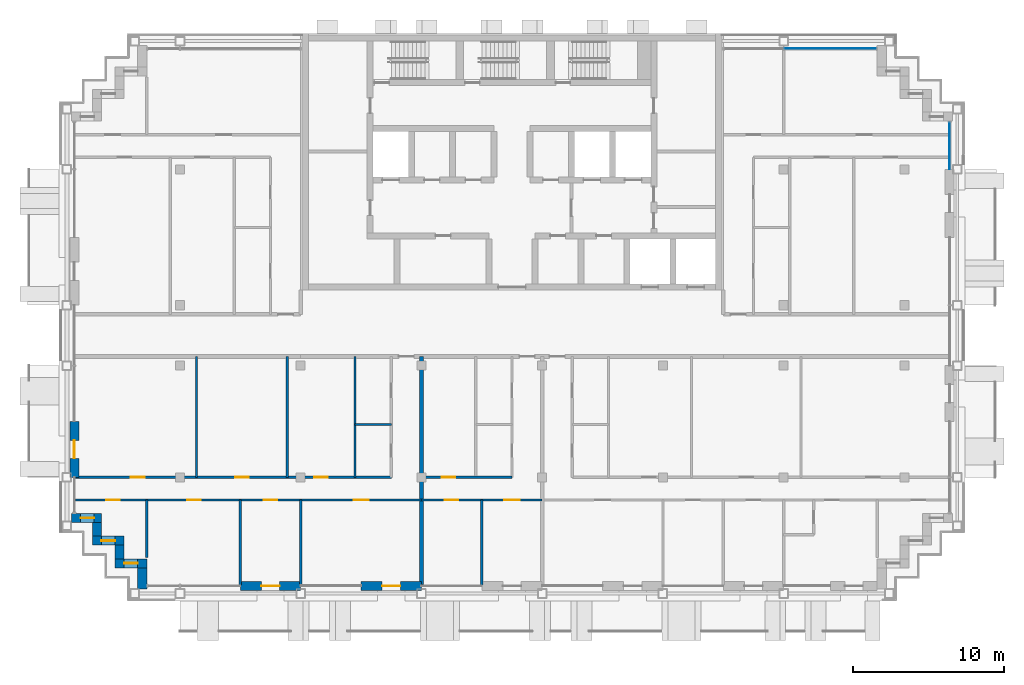
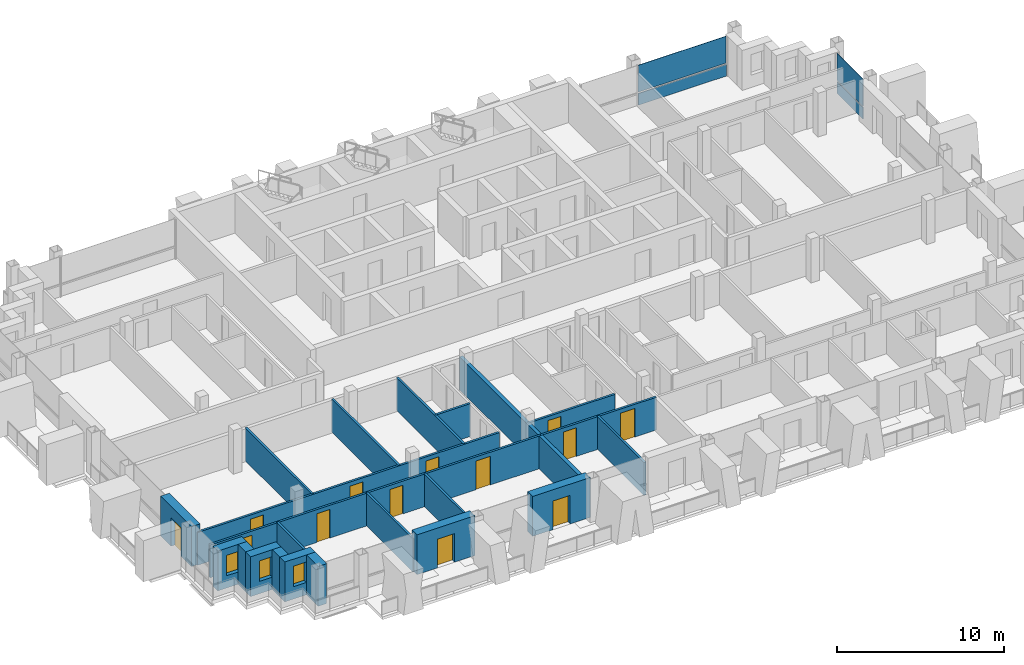
# One storey, part 7 of 16: 22 walls, 13 doors, 4 plates, 3 windows, 16 openings, 2 elements without a shape of their own.
"""IFC4 building model written with IfcOpenShell, lengths in metres."""

from ifc_helpers import new_model, si_unit, direction, frame, frame_2d, origin, origin_2d, place, context, subcontext, project, spatial, rectangle, extrude, material, layer, layer_set, type_object, element, fill, aggregate, save


model = new_model("IFC4")

# Units and contexts
model_context = context("Model", 3, precision=1e-05, world=origin(), true_north=direction((0.0, 1.0)))
body_context = subcontext(model_context, "Body", "Model", "MODEL_VIEW")
ifc_project = project(units=[si_unit("LENGTHUNIT", "METRE"), si_unit("AREAUNIT", "SQUARE_METRE"), si_unit("VOLUMEUNIT", "CUBIC_METRE"), si_unit("PLANEANGLEUNIT", "RADIAN"), si_unit("MASSUNIT", "GRAM", prefix="KILO")], contexts=[model_context])

# Site, building, storey
site_placement = place(None, origin())
site = spatial("IfcSite", under=ifc_project, at=site_placement, CompositionType="ELEMENT")
building_placement = place(site_placement, origin())
building = spatial("IfcBuilding", under=site, at=building_placement, Name="Vidyagriha Tower", CompositionType="ELEMENT")
storey_placement = place(building_placement, frame((0.0, 0.0, 217.199951171875)))
storey = spatial("IfcBuildingStorey", under=building, at=storey_placement, Name="L56", CompositionType="ELEMENT", Elevation=217.199951171875)

# Curtain wall, plate
ifc_material_1 = material(Name="Aluminium and glass curtain wall", Category="aluminium")
curtain_wall_type = type_object("IfcCurtainWallType", Name="Dwelling skin unitised curtain wall", PredefinedType="USERDEFINED", material=ifc_material_1)
curtain_wall_1_placement = place(storey_placement, origin())
curtain_wall_1 = element("IfcCurtainWall", 1, at=curtain_wall_1_placement, inside=storey, type_object=curtain_wall_type, Name="CW1 dwelling skin", ObjectType="UNITISED", PredefinedType="USERDEFINED")
ifc_material_2 = material(Name="Glass dark ceramic-fritted spandrel", Category="glass")
ifc_layer_1 = layer(ifc_material_2, 0.0400390625)
ifc_layer_set_1 = layer_set([ifc_layer_1], Name="Glass dark ceramic-fritted spandrel")
plate_type_1 = type_object("IfcPlateType", Name="Ceramic-fritted spandrel panel", PredefinedType="CURTAIN_PANEL", material=ifc_layer_set_1)
plate_1_placement = place(storey_placement, frame((21.08251953125, 19.0, 0.0), z_axis=(0.0, 0.0, 1.0), x_axis=(-1.0, 0.0, 0.0)))
plate_1 = element("IfcPlate", 2, at=plate_1_placement, type_object=plate_type_1, Name="CW1 panel 1.1", PredefinedType="CURTAIN_PANEL", context=body_context, shape_type="SweptSolid", body=[
    extrude(rectangle(XDim=6.094970703125, YDim=0.0400390625, at=origin_2d()), origin(), (0.0, 0.0, 1.0), 0.85009765625),
])

curtain_wall_2_placement = place(storey_placement, origin())
curtain_wall_2 = element("IfcCurtainWall", 3, at=curtain_wall_2_placement, inside=storey, type_object=curtain_wall_type, Name="CW1 dwelling skin", ObjectType="UNITISED", PredefinedType="USERDEFINED")
plate_2_placement = place(storey_placement, frame((29.0, 12.56494140625, 0.0), z_axis=(0.0, 0.0, 1.0), x_axis=(0.0, 1.0, 0.0)))
plate_2 = element("IfcPlate", 4, at=plate_2_placement, type_object=plate_type_1, Name="CW1 panel 1.1", PredefinedType="CURTAIN_PANEL", context=body_context, shape_type="SweptSolid", body=[
    extrude(rectangle(XDim=3.1298828125, YDim=0.0400390625, at=origin_2d()), origin(), (0.0, 0.0, 1.0), 0.85009765625),
])

# Plate
ifc_material_3 = material(Name="Glass dark ceramic-fritted", Category="glass")
ifc_layer_2 = layer(ifc_material_3, 0.028076171875)
ifc_layer_set_2 = layer_set([ifc_layer_2], Name="Glass dark ceramic-fritted")
plate_type_2 = type_object("IfcPlateType", Name="Dark ceramic-fritted vision glass panel", PredefinedType="CURTAIN_PANEL", material=ifc_layer_set_2)
plate_3_placement = place(storey_placement, frame((21.08251953125, 19.0, 0.9501953125), z_axis=(0.0, 0.0, 1.0), x_axis=(-1.0, 0.0, 0.0)))
plate_3 = element("IfcPlate", 5, at=plate_3_placement, type_object=plate_type_2, Name="CW1 panel 1.2", PredefinedType="CURTAIN_PANEL", context=body_context, shape_type="SweptSolid", body=[
    extrude(rectangle(XDim=6.094970703125, YDim=0.028076171875, at=origin_2d()), origin(), (0.0, 0.0, 1.0), 1.969970703125),
])

aggregate(curtain_wall_1, [plate_1, plate_3])

plate_4_placement = place(storey_placement, frame((29.0, 12.56494140625, 0.9501953125), z_axis=(0.0, 0.0, 1.0), x_axis=(0.0, 1.0, 0.0)))
plate_4 = element("IfcPlate", 6, at=plate_4_placement, type_object=plate_type_2, Name="CW1 panel 1.2", PredefinedType="CURTAIN_PANEL", context=body_context, shape_type="SweptSolid", body=[
    extrude(rectangle(XDim=3.1298828125, YDim=0.028076171875, at=origin_2d()), origin(), (0.0, 0.0, 1.0), 1.969970703125),
])

aggregate(curtain_wall_2, [plate_2, plate_4])

# Wall, opening, door
ifc_material_4 = material(Name="Precast concrete C40/50 with brick facing", Category="concrete")
ifc_layer_3 = layer(ifc_material_4, 0.60009765625)
ifc_layer_set_3 = layer_set([ifc_layer_3], Name="Precast concrete C40/50 with brick facing")
wall_type_1 = type_object("IfcWallType", Name="Brick-faced precast wall 600", PredefinedType="STANDARD", material=ifc_layer_set_3)
wall_1_placement = place(storey_placement, frame((-29.0, -5.699951171875, 0.0), z_axis=(0.0, 0.0, 1.0), x_axis=(0.0, -1.0, 0.0)))
wall_1 = element("IfcWall", 7, at=wall_1_placement, inside=storey, type_object=wall_type_1, Name="Brick door bay wall L56 R16.6", PredefinedType="STANDARD", context=body_context, shape_type="SweptSolid", body=[
    extrude(rectangle(XDim=3.699951171875, YDim=0.60009765625, at=frame_2d((1.85009765625, 0.0))), origin(), (0.0, 0.0, 1.0), 2.920166015625),
])
opening_1_placement = place(wall_1_placement, frame((1.25, 0.0, 0.0)))
opening_1 = element("IfcOpeningElement", 8, at=opening_1_placement, cuts=wall_1, Name="Opening D56-60", PredefinedType="OPENING", context=body_context, shape_type="SweptSolid", body=[
    extrude(rectangle(XDim=1.199951171875, YDim=2.10009765625, at=frame_2d((0.60009765625, 1.050048828125))), frame((0.0, 0.31005859375, 0.0), z_axis=(0.0, -1.0, 0.0), x_axis=(1.0, 0.0, 0.0)), (0.0, 0.0, 1.0), 0.6201171875),
])
ifc_material_5 = material(Name="Aluminium framed glazed sliding door", Category="aluminium")
door_type_1 = type_object("IfcDoorType", Name="Balcony sliding door 1200x2100", OperationType="NOTDEFINED", PredefinedType="DOOR", material=ifc_material_5)
door_1_placement = place(opening_1_placement, origin())
door_1 = element("IfcDoor", 9, at=door_1_placement, inside=storey, type_object=door_type_1, Name="Door D56-60", OperationType="SLIDING_TO_LEFT", OverallHeight=2.10009765625, OverallWidth=1.199951171875, PredefinedType="DOOR", context=body_context, shape_type="SweptSolid", body=[
    extrude(rectangle(XDim=1.199951171875, YDim=2.10009765625, at=frame_2d((0.60009765625, 1.050048828125))), frame((0.0, 0.02490234375, 0.0), z_axis=(0.0, -1.0, 0.0), x_axis=(1.0, 0.0, 0.0)), (0.0, 0.0, 1.0), 0.050048828125),
])
fill(opening_1, door_1)

# Wall, opening, window
wall_2_placement = place(storey_placement, frame((-29.199951171875, -12.10009765625, 0.0)))
wall_2 = element("IfcWall", 10, at=wall_2_placement, inside=storey, type_object=wall_type_1, Name="Stepped corner wall L56 R17", PredefinedType="STANDARD", context=body_context, shape_type="SweptSolid", body=[
    extrude(rectangle(XDim=2.0, YDim=0.60009765625, at=frame_2d((1.0, 0.0))), origin(), (0.0, 0.0, 1.0), 2.920166015625),
])
opening_2_placement = place(wall_2_placement, frame((0.610107421875, 0.0, 0.89990234375)))
opening_2 = element("IfcOpeningElement", 11, at=opening_2_placement, cuts=wall_2, Name="Opening WN1", PredefinedType="OPENING", context=body_context, shape_type="SweptSolid", body=[
    extrude(rectangle(XDim=0.89990234375, YDim=1.5, at=frame_2d((0.449951171875, 0.75))), frame((0.0, 0.31005859375, 0.0), z_axis=(0.0, -1.0, 0.0), x_axis=(1.0, 0.0, 0.0)), (0.0, 0.0, 1.0), 0.6201171875),
])
ifc_material_6 = material(Name="Aluminium and glass window", Category="aluminium")
window_type = type_object("IfcWindowType", Name="Reveal window 900x1500", PartitioningType="NOTDEFINED", PredefinedType="WINDOW", material=ifc_material_6)
window_1_placement = place(opening_2_placement, origin())
window_1 = element("IfcWindow", 12, at=window_1_placement, inside=storey, type_object=window_type, Name="Reveal window L56 R17", OverallHeight=1.5, OverallWidth=0.89990234375, PartitioningType="SINGLE_PANEL", PredefinedType="WINDOW", context=body_context, shape_type="SweptSolid", body=[
    extrude(rectangle(XDim=0.89990234375, YDim=1.5, at=frame_2d((0.449951171875, 0.75))), frame((0.0, 0.030029296875, 0.0), z_axis=(0.0, -1.0, 0.0), x_axis=(1.0, 0.0, 0.0)), (0.0, 0.0, 1.0), 0.06005859375),
])
fill(opening_2, window_1)

# Wall
wall_3_placement = place(storey_placement, frame((-27.5, -12.39990234375, 0.0), z_axis=(0.0, 0.0, 1.0), x_axis=(0.0, -1.0, 0.0)))
element("IfcWall", 13, at=wall_3_placement, inside=storey, type_object=wall_type_1, Name="Stepped corner wall L56 R18", PredefinedType="STANDARD", context=body_context, shape_type="SweptSolid", body=[
    extrude(rectangle(XDim=0.900146484375, YDim=0.60009765625, at=frame_2d((0.4501953125, 0.0))), origin(), (0.0, 0.0, 1.0), 2.920166015625),
])

# Wall, opening, window
wall_4_placement = place(storey_placement, frame((-27.800048828125, -13.60009765625, 0.0)))
wall_4 = element("IfcWall", 14, at=wall_4_placement, inside=storey, type_object=wall_type_1, Name="Stepped corner wall L56 R19", PredefinedType="STANDARD", context=body_context, shape_type="SweptSolid", body=[
    extrude(rectangle(XDim=2.10009765625, YDim=0.60009765625, at=frame_2d((1.050048828125, 0.0))), origin(), (0.0, 0.0, 1.0), 2.920166015625),
])
opening_3_placement = place(wall_4_placement, frame((0.60009765625, 0.0, 0.89990234375)))
opening_3 = element("IfcOpeningElement", 15, at=opening_3_placement, cuts=wall_4, Name="Opening WN1", PredefinedType="OPENING", context=body_context, shape_type="SweptSolid", body=[
    extrude(rectangle(XDim=0.89990234375, YDim=1.5, at=frame_2d((0.449951171875, 0.75))), frame((0.0, 0.31005859375, 0.0), z_axis=(0.0, -1.0, 0.0), x_axis=(1.0, 0.0, 0.0)), (0.0, 0.0, 1.0), 0.6201171875),
])
window_2_placement = place(opening_3_placement, origin())
window_2 = element("IfcWindow", 16, at=window_2_placement, inside=storey, type_object=window_type, Name="Reveal window L56 R19", OverallHeight=1.5, OverallWidth=0.89990234375, PartitioningType="SINGLE_PANEL", PredefinedType="WINDOW", context=body_context, shape_type="SweptSolid", body=[
    extrude(rectangle(XDim=0.89990234375, YDim=1.5, at=frame_2d((0.449951171875, 0.75))), frame((0.0, 0.030029296875, 0.0), z_axis=(0.0, -1.0, 0.0), x_axis=(1.0, 0.0, 0.0)), (0.0, 0.0, 1.0), 0.06005859375),
])
fill(opening_3, window_2)

# Wall
wall_5_placement = place(storey_placement, frame((-26.0, -13.89990234375, 0.0), z_axis=(0.0, 0.0, 1.0), x_axis=(0.0, -1.0, 0.0)))
element("IfcWall", 17, at=wall_5_placement, inside=storey, type_object=wall_type_1, Name="Stepped corner wall L56 R20", PredefinedType="STANDARD", context=body_context, shape_type="SweptSolid", body=[
    extrude(rectangle(XDim=0.900146484375, YDim=0.60009765625, at=frame_2d((0.4501953125, 0.0))), origin(), (0.0, 0.0, 1.0), 2.920166015625),
])

# Wall, opening, window
wall_6_placement = place(storey_placement, frame((-26.300048828125, -15.10009765625, 0.0)))
wall_6 = element("IfcWall", 18, at=wall_6_placement, inside=storey, type_object=wall_type_1, Name="Stepped corner wall L56 R21", PredefinedType="STANDARD", context=body_context, shape_type="SweptSolid", body=[
    extrude(rectangle(XDim=2.10009765625, YDim=0.60009765625, at=frame_2d((1.050048828125, 0.0))), origin(), (0.0, 0.0, 1.0), 2.920166015625),
])
opening_4_placement = place(wall_6_placement, frame((0.60009765625, 0.0, 0.89990234375)))
opening_4 = element("IfcOpeningElement", 19, at=opening_4_placement, cuts=wall_6, Name="Opening WN1", PredefinedType="OPENING", context=body_context, shape_type="SweptSolid", body=[
    extrude(rectangle(XDim=0.89990234375, YDim=1.5, at=frame_2d((0.449951171875, 0.75))), frame((0.0, 0.31005859375, 0.0), z_axis=(0.0, -1.0, 0.0), x_axis=(1.0, 0.0, 0.0)), (0.0, 0.0, 1.0), 0.6201171875),
])
window_3_placement = place(opening_4_placement, origin())
window_3 = element("IfcWindow", 20, at=window_3_placement, inside=storey, type_object=window_type, Name="Reveal window L56 R21", OverallHeight=1.5, OverallWidth=0.89990234375, PartitioningType="SINGLE_PANEL", PredefinedType="WINDOW", context=body_context, shape_type="SweptSolid", body=[
    extrude(rectangle(XDim=0.89990234375, YDim=1.5, at=frame_2d((0.449951171875, 0.75))), frame((0.0, 0.030029296875, 0.0), z_axis=(0.0, -1.0, 0.0), x_axis=(1.0, 0.0, 0.0)), (0.0, 0.0, 1.0), 0.06005859375),
])
fill(opening_4, window_3)

# Wall
wall_7_placement = place(storey_placement, frame((-24.5, -15.39990234375, 0.0), z_axis=(0.0, 0.0, 1.0), x_axis=(0.0, -1.0, 0.0)))
element("IfcWall", 21, at=wall_7_placement, inside=storey, type_object=wall_type_1, Name="Stepped corner wall L56 R22", PredefinedType="STANDARD", context=body_context, shape_type="SweptSolid", body=[
    extrude(rectangle(XDim=1.400146484375, YDim=0.60009765625, at=frame_2d((0.7001953125, 0.0))), origin(), (0.0, 0.0, 1.0), 2.920166015625),
])

# Wall, opening, door
wall_8_placement = place(storey_placement, frame((-18.0, -16.60009765625, 0.0)))
wall_8 = element("IfcWall", 22, at=wall_8_placement, inside=storey, type_object=wall_type_1, Name="Brick door bay wall L56 R23.3", PredefinedType="STANDARD", context=body_context, shape_type="SweptSolid", body=[
    extrude(rectangle(XDim=4.0, YDim=0.60009765625, at=frame_2d((2.0, 0.0))), origin(), (0.0, 0.0, 1.0), 2.920166015625),
])
opening_5_placement = place(wall_8_placement, frame((1.39990234375, 0.0, 0.0)))
opening_5 = element("IfcOpeningElement", 23, at=opening_5_placement, cuts=wall_8, Name="Opening D56-61", PredefinedType="OPENING", context=body_context, shape_type="SweptSolid", body=[
    extrude(rectangle(XDim=1.199951171875, YDim=2.10009765625, at=frame_2d((0.60009765625, 1.050048828125))), frame((0.0, 0.31005859375, 0.0), z_axis=(0.0, -1.0, 0.0), x_axis=(1.0, 0.0, 0.0)), (0.0, 0.0, 1.0), 0.6201171875),
])
door_2_placement = place(opening_5_placement, origin())
door_2 = element("IfcDoor", 24, at=door_2_placement, inside=storey, type_object=door_type_1, Name="Door D56-61", OperationType="SLIDING_TO_LEFT", OverallHeight=2.10009765625, OverallWidth=1.199951171875, PredefinedType="DOOR", context=body_context, shape_type="SweptSolid", body=[
    extrude(rectangle(XDim=1.199951171875, YDim=2.10009765625, at=frame_2d((0.60009765625, 1.050048828125))), frame((0.0, 0.02490234375, 0.0), z_axis=(0.0, -1.0, 0.0), x_axis=(1.0, 0.0, 0.0)), (0.0, 0.0, 1.0), 0.050048828125),
])
fill(opening_5, door_2)

wall_9_placement = place(storey_placement, frame((-10.0, -16.60009765625, 0.0)))
wall_9 = element("IfcWall", 25, at=wall_9_placement, inside=storey, type_object=wall_type_1, Name="Brick door bay wall L56 R23.5", PredefinedType="STANDARD", context=body_context, shape_type="SweptSolid", body=[
    extrude(rectangle(XDim=4.0, YDim=0.60009765625, at=frame_2d((2.0, 0.0))), origin(), (0.0, 0.0, 1.0), 2.920166015625),
])
opening_6_placement = place(wall_9_placement, frame((1.39990234375, 0.0, 0.0)))
opening_6 = element("IfcOpeningElement", 26, at=opening_6_placement, cuts=wall_9, Name="Opening D56-62", PredefinedType="OPENING", context=body_context, shape_type="SweptSolid", body=[
    extrude(rectangle(XDim=1.199951171875, YDim=2.10009765625, at=frame_2d((0.60009765625, 1.050048828125))), frame((0.0, 0.31005859375, 0.0), z_axis=(0.0, -1.0, 0.0), x_axis=(1.0, 0.0, 0.0)), (0.0, 0.0, 1.0), 0.6201171875),
])
door_3_placement = place(opening_6_placement, origin())
door_3 = element("IfcDoor", 27, at=door_3_placement, inside=storey, type_object=door_type_1, Name="Door D56-62", OperationType="SLIDING_TO_LEFT", OverallHeight=2.10009765625, OverallWidth=1.199951171875, PredefinedType="DOOR", context=body_context, shape_type="SweptSolid", body=[
    extrude(rectangle(XDim=1.199951171875, YDim=2.10009765625, at=frame_2d((0.60009765625, 1.050048828125))), frame((0.0, 0.02490234375, 0.0), z_axis=(0.0, -1.0, 0.0), x_axis=(1.0, 0.0, 0.0)), (0.0, 0.0, 1.0), 0.050048828125),
])
fill(opening_6, door_3)

# Walls
ifc_material_7 = material(Name="Fired clay brick masonry", Category="masonry")
ifc_layer_4 = layer(ifc_material_7, 0.25)
ifc_layer_set_4 = layer_set([ifc_layer_4], Name="Fired clay brick masonry")
wall_type_2 = type_object("IfcWallType", Name="Fired clay brick demising wall 250", PredefinedType="PARTITIONING", material=ifc_layer_set_4)
wall_10_placement = place(storey_placement, frame((-6.0, -1.39990234375, 0.0), z_axis=(0.0, 0.0, 1.0), x_axis=(0.0, -1.0, 0.0)))
element("IfcWall", 28, at=wall_10_placement, inside=storey, type_object=wall_type_2, Name="Wall all-L56-w033", PredefinedType="PARTITIONING", context=body_context, shape_type="SweptSolid", body=[
    extrude(rectangle(XDim=15.110107421875, YDim=0.25, at=frame_2d((7.55517578125, 0.0))), origin(), (0.0, 0.0, 1.0), 2.400146484375),
])
ifc_material_8 = material(Name="Gypsum board partition")
ifc_layer_5 = layer(ifc_material_8, 0.14990234375)
ifc_layer_set_5 = layer_set([ifc_layer_5], Name="Gypsum board partition")
wall_type_3 = type_object("IfcWallType", Name="Gypsum board partition 150", PredefinedType="PARTITIONING", material=ifc_layer_set_5)
wall_11_placement = place(storey_placement, frame((-8.0, -5.89990234375, 0.0), z_axis=(0.0, 0.0, 1.0), x_axis=(-1.0, 0.0, 0.0)))
element("IfcWall", 29, at=wall_11_placement, inside=storey, type_object=wall_type_3, Name="Wall all-L56-w004", PredefinedType="PARTITIONING", context=body_context, shape_type="SweptSolid", body=[
    extrude(rectangle(XDim=2.39990234375, YDim=0.14990234375, at=frame_2d((1.199951171875, 0.0))), origin(), (0.0, 0.0, 1.0), 2.400146484375),
])
for number, where, z_axis, x_axis, name in (
    (30, (-10.39990234375, -9.39990234375, 0.0), (0.0, 0.0, 1.0), (0.0, 1.0, 0.0), "Wall all-L56-w005"),
    (31, (-14.89990234375, -9.39990234375, 0.0), (0.0, 0.0, 1.0), (0.0, 1.0, 0.0), "Wall all-L56-w006"),
    (32, (-20.89990234375, -9.39990234375, 0.0), (0.0, 0.0, 1.0), (0.0, 1.0, 0.0), "Wall all-L56-w007"),
):
    element("IfcWall", number, at=place(storey_placement, frame(where, z_axis=z_axis, x_axis=x_axis)), inside=storey, type_object=wall_type_3, Name=name, PredefinedType="PARTITIONING", context=body_context, shape_type="SweptSolid", body=[
        extrude(rectangle(XDim=8.0, YDim=0.14990234375, at=frame_2d((4.0, 0.0))), origin(), (0.0, 0.0, 1.0), 2.400146484375),
    ])

# Wall, openings, doors
wall_12_placement = place(storey_placement, frame((-28.909912109375, -9.39990234375, 0.0)))
wall_12 = element("IfcWall", 33, at=wall_12_placement, inside=storey, type_object=wall_type_3, Name="Wall all-L56-w008", PredefinedType="PARTITIONING", context=body_context, shape_type="SweptSolid", body=[
    extrude(rectangle(XDim=20.909912109375, YDim=0.14990234375, at=frame_2d((10.455078125, 0.0))), origin(), (0.0, 0.0, 1.0), 2.400146484375),
])
opening_7_placement = place(wall_12_placement, frame((15.81005859375, 0.0, 0.0)))
opening_7 = element("IfcOpeningElement", 34, at=opening_7_placement, cuts=wall_12, Name="Opening D56-19", PredefinedType="OPENING", context=body_context, shape_type="SweptSolid", body=[
    extrude(rectangle(XDim=0.89990234375, YDim=2.10009765625, at=frame_2d((0.449951171875, 1.050048828125))), frame((0.0, 0.0849609375, 0.0), z_axis=(0.0, -1.0, 0.0), x_axis=(1.0, 0.0, 0.0)), (0.0, 0.0, 1.0), 0.169921875),
])
opening_8_placement = place(wall_12_placement, frame((10.56005859375, 0.0, 0.0)))
opening_8 = element("IfcOpeningElement", 35, at=opening_8_placement, cuts=wall_12, Name="Opening D56-20", PredefinedType="OPENING", context=body_context, shape_type="SweptSolid", body=[
    extrude(rectangle(XDim=0.89990234375, YDim=2.10009765625, at=frame_2d((0.449951171875, 1.050048828125))), frame((0.0, 0.0849609375, 0.0), z_axis=(0.0, -1.0, 0.0), x_axis=(1.0, 0.0, 0.0)), (0.0, 0.0, 1.0), 0.169921875),
])
opening_9_placement = place(wall_12_placement, frame((3.659912109375, 0.0, 0.0)))
opening_9 = element("IfcOpeningElement", 36, at=opening_9_placement, cuts=wall_12, Name="Opening D56-21", PredefinedType="OPENING", context=body_context, shape_type="SweptSolid", body=[
    extrude(rectangle(XDim=0.89990234375, YDim=2.10009765625, at=frame_2d((0.449951171875, 1.050048828125))), frame((0.0, 0.0849609375, 0.0), z_axis=(0.0, -1.0, 0.0), x_axis=(1.0, 0.0, 0.0)), (0.0, 0.0, 1.0), 0.169921875),
])
ifc_material_9 = material(Name="Timber door leaf", Category="wood")
door_type_2 = type_object("IfcDoorType", Name="Room door 900x2100", OperationType="NOTDEFINED", PredefinedType="DOOR", material=ifc_material_9)
door_4_placement = place(opening_7_placement, origin())
door_4 = element("IfcDoor", 37, at=door_4_placement, inside=storey, type_object=door_type_2, Name="Door D56-19", OperationType="SINGLE_SWING_LEFT", OverallHeight=2.10009765625, OverallWidth=0.89990234375, PredefinedType="DOOR", context=body_context, shape_type="SweptSolid", body=[
    extrude(rectangle(XDim=0.89990234375, YDim=2.10009765625, at=frame_2d((0.449951171875, 1.050048828125))), frame((0.0, 0.02490234375, 0.0), z_axis=(0.0, -1.0, 0.0), x_axis=(1.0, 0.0, 0.0)), (0.0, 0.0, 1.0), 0.050048828125),
])
fill(opening_7, door_4)
door_5_placement = place(opening_8_placement, origin())
door_5 = element("IfcDoor", 38, at=door_5_placement, inside=storey, type_object=door_type_2, Name="Door D56-20", OperationType="SINGLE_SWING_RIGHT", OverallHeight=2.10009765625, OverallWidth=0.89990234375, PredefinedType="DOOR", context=body_context, shape_type="SweptSolid", body=[
    extrude(rectangle(XDim=0.89990234375, YDim=2.10009765625, at=frame_2d((0.449951171875, 1.050048828125))), frame((0.0, 0.02490234375, 0.0), z_axis=(0.0, -1.0, 0.0), x_axis=(1.0, 0.0, 0.0)), (0.0, 0.0, 1.0), 0.050048828125),
])
fill(opening_8, door_5)
door_6_placement = place(opening_9_placement, origin())
door_6 = element("IfcDoor", 39, at=door_6_placement, inside=storey, type_object=door_type_2, Name="Door D56-21", OperationType="SINGLE_SWING_LEFT", OverallHeight=2.10009765625, OverallWidth=0.89990234375, PredefinedType="DOOR", context=body_context, shape_type="SweptSolid", body=[
    extrude(rectangle(XDim=0.89990234375, YDim=2.10009765625, at=frame_2d((0.449951171875, 1.050048828125))), frame((0.0, 0.02490234375, 0.0), z_axis=(0.0, -1.0, 0.0), x_axis=(1.0, 0.0, 0.0)), (0.0, 0.0, 1.0), 0.050048828125),
])
fill(opening_9, door_6)

wall_13_placement = place(storey_placement, frame((-6.0, -10.89990234375, 0.0), z_axis=(0.0, 0.0, 1.0), x_axis=(-1.0, 0.0, 0.0)))
wall_13 = element("IfcWall", 40, at=wall_13_placement, inside=storey, type_object=wall_type_3, Name="Wall all-L56-w012", PredefinedType="PARTITIONING", context=body_context, shape_type="SweptSolid", body=[
    extrude(rectangle(XDim=22.919921875, YDim=0.14990234375, at=frame_2d((11.4599609375, 0.0))), origin(), (0.0, 0.0, 1.0), 2.400146484375),
])
opening_10_placement = place(wall_13_placement, frame((20.0, 0.0, 0.0)))
opening_10 = element("IfcOpeningElement", 41, at=opening_10_placement, cuts=wall_13, Name="Opening D56-22", PredefinedType="OPENING", context=body_context, shape_type="SweptSolid", body=[
    extrude(rectangle(XDim=0.89990234375, YDim=2.10009765625, at=frame_2d((0.449951171875, 1.050048828125))), frame((0.0, 0.0849609375, 0.0), z_axis=(0.0, -1.0, 0.0), x_axis=(1.0, 0.0, 0.0)), (0.0, 0.0, 1.0), 0.169921875),
])
opening_11_placement = place(wall_13_placement, frame((14.6240234375, 0.0, 0.0)))
opening_11 = element("IfcOpeningElement", 42, at=opening_11_placement, cuts=wall_13, Name="Opening D56-23", PredefinedType="OPENING", context=body_context, shape_type="SweptSolid", body=[
    extrude(rectangle(XDim=0.89990234375, YDim=2.10009765625, at=frame_2d((0.449951171875, 1.050048828125))), frame((0.0, 0.0849609375, 0.0), z_axis=(0.0, -1.0, 0.0), x_axis=(1.0, 0.0, 0.0)), (0.0, 0.0, 1.0), 0.169921875),
])
opening_12_placement = place(wall_13_placement, frame((9.550048828125, 0.0, 0.0)))
opening_12 = element("IfcOpeningElement", 43, at=opening_12_placement, cuts=wall_13, Name="Opening D56-24", PredefinedType="OPENING", context=body_context, shape_type="SweptSolid", body=[
    extrude(rectangle(XDim=0.89990234375, YDim=2.10009765625, at=frame_2d((0.449951171875, 1.050048828125))), frame((0.0, 0.0849609375, 0.0), z_axis=(0.0, -1.0, 0.0), x_axis=(1.0, 0.0, 0.0)), (0.0, 0.0, 1.0), 0.169921875),
])
opening_13_placement = place(wall_13_placement, frame((3.5, 0.0, 0.0)))
opening_13 = element("IfcOpeningElement", 44, at=opening_13_placement, cuts=wall_13, Name="Opening D56-25", PredefinedType="OPENING", context=body_context, shape_type="SweptSolid", body=[
    extrude(rectangle(XDim=1.0, YDim=2.10009765625, at=frame_2d((0.5, 1.050048828125))), frame((0.0, 0.0849609375, 0.0), z_axis=(0.0, -1.0, 0.0), x_axis=(1.0, 0.0, 0.0)), (0.0, 0.0, 1.0), 0.169921875),
])
ifc_material_10 = material(Name="Timber door leaf", Category="wood")
door_type_3 = type_object("IfcDoorType", Name="Room door 1000x2100", OperationType="NOTDEFINED", PredefinedType="DOOR", material=ifc_material_10)
door_7_placement = place(opening_13_placement, origin())
door_7 = element("IfcDoor", 45, at=door_7_placement, inside=storey, type_object=door_type_3, Name="Door D56-25", OperationType="SINGLE_SWING_RIGHT", OverallHeight=2.10009765625, OverallWidth=1.0, PredefinedType="DOOR", context=body_context, shape_type="SweptSolid", body=[
    extrude(rectangle(XDim=1.0, YDim=2.10009765625, at=frame_2d((0.5, 1.050048828125))), frame((0.0, 0.02490234375, 0.0), z_axis=(0.0, -1.0, 0.0), x_axis=(1.0, 0.0, 0.0)), (0.0, 0.0, 1.0), 0.050048828125),
])
fill(opening_13, door_7)
door_8_placement = place(opening_10_placement, origin())
door_8 = element("IfcDoor", 46, at=door_8_placement, inside=storey, type_object=door_type_2, Name="Door D56-22", OperationType="SINGLE_SWING_RIGHT", OverallHeight=2.10009765625, OverallWidth=0.89990234375, PredefinedType="DOOR", context=body_context, shape_type="SweptSolid", body=[
    extrude(rectangle(XDim=0.89990234375, YDim=2.10009765625, at=frame_2d((0.449951171875, 1.050048828125))), frame((0.0, 0.02490234375, 0.0), z_axis=(0.0, -1.0, 0.0), x_axis=(1.0, 0.0, 0.0)), (0.0, 0.0, 1.0), 0.050048828125),
])
fill(opening_10, door_8)
door_9_placement = place(opening_11_placement, origin())
door_9 = element("IfcDoor", 47, at=door_9_placement, inside=storey, type_object=door_type_2, Name="Door D56-23", OperationType="SINGLE_SWING_LEFT", OverallHeight=2.10009765625, OverallWidth=0.89990234375, PredefinedType="DOOR", context=body_context, shape_type="SweptSolid", body=[
    extrude(rectangle(XDim=0.89990234375, YDim=2.10009765625, at=frame_2d((0.449951171875, 1.050048828125))), frame((0.0, 0.02490234375, 0.0), z_axis=(0.0, -1.0, 0.0), x_axis=(1.0, 0.0, 0.0)), (0.0, 0.0, 1.0), 0.050048828125),
])
fill(opening_11, door_9)
door_10_placement = place(opening_12_placement, origin())
door_10 = element("IfcDoor", 48, at=door_10_placement, inside=storey, type_object=door_type_2, Name="Door D56-24", OperationType="SINGLE_SWING_RIGHT", OverallHeight=2.10009765625, OverallWidth=0.89990234375, PredefinedType="DOOR", context=body_context, shape_type="SweptSolid", body=[
    extrude(rectangle(XDim=0.89990234375, YDim=2.10009765625, at=frame_2d((0.449951171875, 1.050048828125))), frame((0.0, 0.02490234375, 0.0), z_axis=(0.0, -1.0, 0.0), x_axis=(1.0, 0.0, 0.0)), (0.0, 0.0, 1.0), 0.050048828125),
])
fill(opening_12, door_10)

# Walls
wall_14_placement = place(storey_placement, frame((-24.199951171875, -10.89990234375, 0.0), z_axis=(0.0, 0.0, 1.0), x_axis=(0.0, -1.0, 0.0)))
element("IfcWall", 49, at=wall_14_placement, inside=storey, type_object=wall_type_3, Name="Wall all-L56-w017", PredefinedType="PARTITIONING", context=body_context, shape_type="SweptSolid", body=[
    extrude(rectangle(XDim=3.820068359375, YDim=0.14990234375, at=frame_2d((1.91015625, 0.0))), origin(), (0.0, 0.0, 1.0), 2.400146484375),
])
wall_15_placement = place(storey_placement, frame((-18.0, -10.89990234375, 0.0), z_axis=(0.0, 0.0, 1.0), x_axis=(0.0, -1.0, 0.0)))
element("IfcWall", 50, at=wall_15_placement, inside=storey, type_object=wall_type_3, Name="Wall all-L56-w018", PredefinedType="PARTITIONING", context=body_context, shape_type="SweptSolid", body=[
    extrude(rectangle(XDim=5.62109375, YDim=0.14990234375, at=frame_2d((2.810546875, 0.0))), origin(), (0.0, 0.0, 1.0), 2.400146484375),
])
wall_16_placement = place(storey_placement, frame((-14.0, -10.89990234375, 0.0), z_axis=(0.0, 0.0, 1.0), x_axis=(0.0, -1.0, 0.0)))
element("IfcWall", 51, at=wall_16_placement, inside=storey, type_object=wall_type_3, Name="Wall all-L56-w019", PredefinedType="PARTITIONING", context=body_context, shape_type="SweptSolid", body=[
    extrude(rectangle(XDim=5.610107421875, YDim=0.14990234375, at=frame_2d((2.80517578125, 0.0))), origin(), (0.0, 0.0, 1.0), 2.400146484375),
])

# Wall, opening, door
wall_17_placement = place(storey_placement, frame((-6.0, -9.39990234375, 0.0)))
wall_17 = element("IfcWall", 52, at=wall_17_placement, inside=storey, type_object=wall_type_3, Name="Wall all-L56-w026", PredefinedType="PARTITIONING", context=body_context, shape_type="SweptSolid", body=[
    extrude(rectangle(XDim=6.0, YDim=0.14990234375, at=frame_2d((3.0, 0.0))), origin(), (0.0, 0.0, 1.0), 2.400146484375),
])
opening_14_placement = place(wall_17_placement, frame((1.35009765625, 0.0, 0.0)))
opening_14 = element("IfcOpeningElement", 53, at=opening_14_placement, cuts=wall_17, Name="Opening D56-29", PredefinedType="OPENING", context=body_context, shape_type="SweptSolid", body=[
    extrude(rectangle(XDim=0.89990234375, YDim=2.10009765625, at=frame_2d((0.449951171875, 1.050048828125))), frame((0.0, 0.0849609375, 0.0), z_axis=(0.0, -1.0, 0.0), x_axis=(1.0, 0.0, 0.0)), (0.0, 0.0, 1.0), 0.169921875),
])
door_11_placement = place(opening_14_placement, origin())
door_11 = element("IfcDoor", 54, at=door_11_placement, inside=storey, type_object=door_type_2, Name="Door D56-29", OperationType="SINGLE_SWING_LEFT", OverallHeight=2.10009765625, OverallWidth=0.89990234375, PredefinedType="DOOR", context=body_context, shape_type="SweptSolid", body=[
    extrude(rectangle(XDim=0.89990234375, YDim=2.10009765625, at=frame_2d((0.449951171875, 1.050048828125))), frame((0.0, 0.02490234375, 0.0), z_axis=(0.0, -1.0, 0.0), x_axis=(1.0, 0.0, 0.0)), (0.0, 0.0, 1.0), 0.050048828125),
])
fill(opening_14, door_11)

# Wall, openings, doors
wall_18_placement = place(storey_placement, frame((2.0, -10.89990234375, 0.0), z_axis=(0.0, 0.0, 1.0), x_axis=(-1.0, 0.0, 0.0)))
wall_18 = element("IfcWall", 55, at=wall_18_placement, inside=storey, type_object=wall_type_3, Name="Wall all-L56-w028", PredefinedType="PARTITIONING", context=body_context, shape_type="SweptSolid", body=[
    extrude(rectangle(XDim=8.0, YDim=0.14990234375, at=frame_2d((4.0, 0.0))), origin(), (0.0, 0.0, 1.0), 2.400146484375),
])
opening_15_placement = place(wall_18_placement, frame((5.550048828125, 0.0, 0.0)))
opening_15 = element("IfcOpeningElement", 56, at=opening_15_placement, cuts=wall_18, Name="Opening D56-30", PredefinedType="OPENING", context=body_context, shape_type="SweptSolid", body=[
    extrude(rectangle(XDim=0.89990234375, YDim=2.10009765625, at=frame_2d((0.449951171875, 1.050048828125))), frame((0.0, 0.0849609375, 0.0), z_axis=(0.0, -1.0, 0.0), x_axis=(1.0, 0.0, 0.0)), (0.0, 0.0, 1.0), 0.169921875),
])
opening_16_placement = place(wall_18_placement, frame((1.5, 0.0, 0.0)))
opening_16 = element("IfcOpeningElement", 57, at=opening_16_placement, cuts=wall_18, Name="Opening D56-31", PredefinedType="OPENING", context=body_context, shape_type="SweptSolid", body=[
    extrude(rectangle(XDim=1.0, YDim=2.10009765625, at=frame_2d((0.5, 1.050048828125))), frame((0.0, 0.0849609375, 0.0), z_axis=(0.0, -1.0, 0.0), x_axis=(1.0, 0.0, 0.0)), (0.0, 0.0, 1.0), 0.169921875),
])
door_12_placement = place(opening_16_placement, origin())
door_12 = element("IfcDoor", 58, at=door_12_placement, inside=storey, type_object=door_type_3, Name="Door D56-31", OperationType="SINGLE_SWING_RIGHT", OverallHeight=2.10009765625, OverallWidth=1.0, PredefinedType="DOOR", context=body_context, shape_type="SweptSolid", body=[
    extrude(rectangle(XDim=1.0, YDim=2.10009765625, at=frame_2d((0.5, 1.050048828125))), frame((0.0, 0.02490234375, 0.0), z_axis=(0.0, -1.0, 0.0), x_axis=(1.0, 0.0, 0.0)), (0.0, 0.0, 1.0), 0.050048828125),
])
fill(opening_16, door_12)
door_13_placement = place(opening_15_placement, origin())
door_13 = element("IfcDoor", 59, at=door_13_placement, inside=storey, type_object=door_type_2, Name="Door D56-30", OperationType="SINGLE_SWING_RIGHT", OverallHeight=2.10009765625, OverallWidth=0.89990234375, PredefinedType="DOOR", context=body_context, shape_type="SweptSolid", body=[
    extrude(rectangle(XDim=0.89990234375, YDim=2.10009765625, at=frame_2d((0.449951171875, 1.050048828125))), frame((0.0, 0.02490234375, 0.0), z_axis=(0.0, -1.0, 0.0), x_axis=(1.0, 0.0, 0.0)), (0.0, 0.0, 1.0), 0.050048828125),
])
fill(opening_15, door_13)

# Wall
wall_19_placement = place(storey_placement, frame((-2.0, -10.89990234375, 0.0), z_axis=(0.0, 0.0, 1.0), x_axis=(0.0, -1.0, 0.0)))
element("IfcWall", 60, at=wall_19_placement, inside=storey, type_object=wall_type_3, Name="Wall all-L56-w031", PredefinedType="PARTITIONING", context=body_context, shape_type="SweptSolid", body=[
    extrude(rectangle(XDim=5.62109375, YDim=0.14990234375, at=frame_2d((2.810546875, 0.0))), origin(), (0.0, 0.0, 1.0), 2.400146484375),
])

save(model, "model.ifc")
